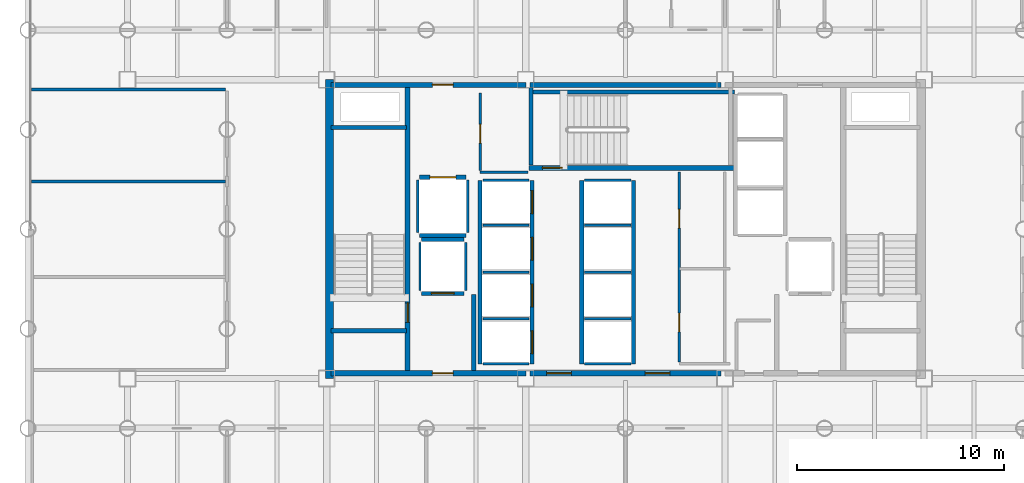
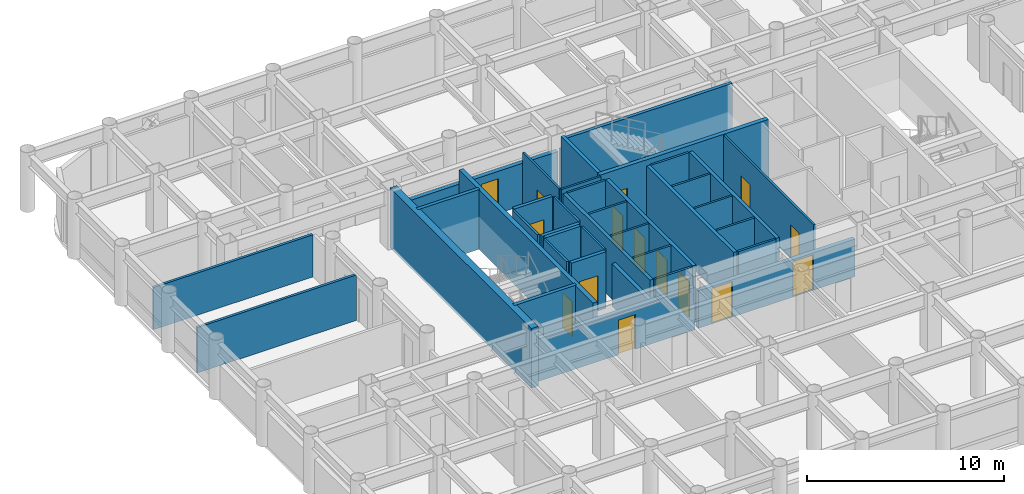
# One storey, part 15 of 19: 39 walls, 15 doors, 15 openings.
"""IFC4 building model written with IfcOpenShell, lengths in metres."""

import ifcopenshell
import ifcopenshell.guid

model = None  # the IFC model being written
_history = None  # IfcOwnerHistory: only IFC2X3 demands one
_inside = {}  # id of a spatial element -> (the spatial element, [elements in it])
_under = {}  # id of a project, library or spatial element -> (it, [spatial elements below it])
_declared = {}  # id of a project -> (the project, [libraries it declares])
_typed = {}  # id of a type object -> (the type object, [elements of that type])
_made_of = {}  # id of a material, layer set ... -> (it, [elements and type objects made of it])


def new_model(schema):
    """Start an empty IFC model of exactly this schema.

    Asked for "IFC4X3", IfcOpenShell would pick the latest addendum, in which some entities
    have other attributes; the version numbers below select the first issue.
    IFC2X3 requires an IfcOwnerHistory on every rooted entity: one is made here for all.
    """
    global model, _history
    if schema == "IFC4X3":
        model = ifcopenshell.file(schema_version=(4, 3, 0, 0))
    else:
        model = ifcopenshell.file(schema=schema)
    _inside.clear()
    _under.clear()
    _declared.clear()
    _typed.clear()
    _made_of.clear()
    _history = None
    if model.schema == "IFC2X3":
        org = make("IfcOrganization", Name="unknown")
        user = make(
            "IfcPersonAndOrganization",
            ThePerson=make("IfcPerson", FamilyName="unknown"),
            TheOrganization=org,
        )
        app = make(
            "IfcApplication",
            ApplicationDeveloper=org,
            Version="unknown",
            ApplicationFullName="unknown",
            ApplicationIdentifier="unknown",
        )
        _history = make(
            "IfcOwnerHistory",
            OwningUser=user,
            OwningApplication=app,
            ChangeAction="ADDED",
            CreationDate=0,
        )
    return model


def make(cls, **values):
    """One entity of the class cls with the attributes given. An attribute that is None is left unset."""
    return model.create_entity(
        cls, **{name: value for name, value in values.items() if value is not None}
    )


def rooted(cls, **values):
    """An entity with a GlobalId (a new one), such as an element, a storey or a relation."""
    return make(cls, GlobalId=ifcopenshell.guid.new(), OwnerHistory=_history, **values)


def si_unit(unit_type, name, prefix=None):
    """IfcSIUnit, for example si_unit("LENGTHUNIT", "METRE", prefix="MILLI")."""
    return make("IfcSIUnit", UnitType=unit_type, Prefix=prefix, Name=name)


def assignment(units):
    """IfcUnitAssignment: the units of a project."""
    return None if units is None else make("IfcUnitAssignment", Units=units)


def point(xyz):
    """IfcCartesianPoint."""
    return None if xyz is None else make("IfcCartesianPoint", Coordinates=xyz)


def direction(xyz):
    """IfcDirection."""
    return None if xyz is None else make("IfcDirection", DirectionRatios=xyz)


def frame(location, z_axis=None, x_axis=None):
    """IfcAxis2Placement3D, a coordinate frame: its origin and axes. An axis left out is left unset."""
    return make(
        "IfcAxis2Placement3D",
        Location=point(location),
        Axis=direction(z_axis),
        RefDirection=direction(x_axis),
    )


def frame_2d(location, x_axis=None):
    """IfcAxis2Placement2D, a coordinate frame in the plane: its origin and x axis."""
    return make(
        "IfcAxis2Placement2D", Location=point(location), RefDirection=direction(x_axis)
    )


def origin():
    """The frame at (0, 0, 0) with its axes left unset."""
    return frame((0.0, 0.0, 0.0))


def place(relative_to, where):
    """IfcLocalPlacement: puts the frame where relative to a parent placement (None: the world)."""
    return make(
        "IfcLocalPlacement", PlacementRelTo=relative_to, RelativePlacement=where
    )


def context(
    kind, dimensions, precision=None, world=None, true_north=None, identifier=None
):
    """IfcGeometricRepresentationContext, for example the 3D "Model" context."""
    return make(
        "IfcGeometricRepresentationContext",
        ContextIdentifier=identifier,
        ContextType=kind,
        CoordinateSpaceDimension=dimensions,
        Precision=precision,
        WorldCoordinateSystem=world,
        TrueNorth=true_north,
    )


def subcontext(parent, identifier, kind, view, scale=None):
    """IfcGeometricRepresentationSubContext, for example "Body" below "Model"."""
    return make(
        "IfcGeometricRepresentationSubContext",
        ContextIdentifier=identifier,
        ContextType=kind,
        ParentContext=parent,
        TargetScale=scale,
        TargetView=view,
    )


def project(units=None, contexts=None):
    """IfcProject with its units and contexts."""
    return rooted(
        "IfcProject",
        Name="project",
        RepresentationContexts=contexts,
        UnitsInContext=assignment(units),
    )


def spatial(cls, under=None, at=None, **own):
    """A site, building, storey or space (cls), placed at a placement, below another one or the project."""
    s = rooted(cls, ObjectPlacement=at, **own)
    if under is not None:
        _under.setdefault(under.id(), (under, []))[1].append(s)
    return s


def profile(cls, at=None, kind="AREA", **sizes):
    """A parametric profile (cls). Its sizes go by their IFC names, for example OverallWidth=200.0."""
    return make(cls, ProfileType=kind, Position=at, **sizes)


def rectangle(**sizes):
    """IfcRectangleProfileDef."""
    return profile("IfcRectangleProfileDef", **sizes)


def extrude(swept, where, along, depth):
    """IfcExtrudedAreaSolid: the profile swept, set in the frame where, extruded along a direction by depth."""
    return make(
        "IfcExtrudedAreaSolid",
        SweptArea=swept,
        Position=where,
        ExtrudedDirection=direction(along),
        Depth=depth,
    )


def shape(context_of_items, identifier, shape_type, items):
    """IfcShapeRepresentation: the items that make up one representation, for example the "Body"."""
    return make(
        "IfcShapeRepresentation",
        ContextOfItems=context_of_items,
        RepresentationIdentifier=identifier,
        RepresentationType=shape_type,
        Items=items,
    )


def material(Name=None, Category=None):
    """IfcMaterial."""
    return make("IfcMaterial", Name=Name, Category=Category)


def layer(
    of_material, thickness, ventilated=None, Name=None, Category=None, Priority=None
):
    """IfcMaterialLayer: one layer of a wall or slab, of a material (None: an air gap)."""
    return make(
        "IfcMaterialLayer",
        Material=of_material,
        LayerThickness=thickness,
        IsVentilated=ventilated,
        Name=Name,
        Category=Category,
        Priority=Priority,
    )


def layer_set(layers, Name=None):
    """IfcMaterialLayerSet."""
    return make("IfcMaterialLayerSet", MaterialLayers=layers, LayerSetName=Name)


def made_of(thing, what):
    """Note that an element or type object is made of a material, layer set ...; save() writes the relation."""
    if what is not None:
        _made_of.setdefault(what.id(), (what, []))[1].append(thing)
    return thing


def type_object(cls, material=None, **own):
    """A type object (cls), such as IfcWallType, which elements share."""
    return made_of(rooted(cls, **own), material)


def element(
    cls,
    number,
    at=None,
    inside=None,
    cuts=None,
    type_object=None,
    material=None,
    context=None,
    identifier="Body",
    shape_type=None,
    held_by="IfcProductDefinitionShape",
    body=None,
    shapes=None,
    **own,
):
    """One element of the class cls, such as IfcWall. Its Tag is "e" and its number.

    at: its placement. inside: the storey or other place that contains it. cuts: it is an
    opening in that element (IfcRelVoidsElement). A single representation is given by context,
    identifier, shape_type and body (its items); several are given by shapes. held_by: the class
    of the entity that holds the representations. save() writes the other relations.
    """
    e = rooted(cls, Tag="e%d" % number, ObjectPlacement=at, **own)
    if body is not None:
        shapes = [shape(context, identifier, shape_type, body)]
    if shapes is not None:
        e.Representation = make(held_by, Representations=shapes)
    if inside is not None:
        _inside.setdefault(inside.id(), (inside, []))[1].append(e)
    if cuts is not None:
        rooted(
            "IfcRelVoidsElement", RelatingBuildingElement=cuts, RelatedOpeningElement=e
        )
    if type_object is not None:
        _typed.setdefault(type_object.id(), (type_object, []))[1].append(e)
    return made_of(e, material)


def fill(opening, filler):
    """IfcRelFillsElement: the door or window that sits in an opening."""
    return rooted(
        "IfcRelFillsElement",
        RelatingOpeningElement=opening,
        RelatedBuildingElement=filler,
    )


def aggregate(whole, parts):
    """IfcRelAggregates: a whole, such as a stair, and the parts it consists of."""
    return rooted("IfcRelAggregates", RelatingObject=whole, RelatedObjects=parts)


def save(model, path):
    """Write the relations noted so far, then the file.

    IfcRelAggregates (storeys below a building ...), IfcRelContainedInSpatialStructure (elements
    in a storey), IfcRelDefinesByType, IfcRelAssociatesMaterial and IfcRelDeclares: one each for
    every whole, place, type object, material and project.
    """
    for whole, parts in _under.values():
        aggregate(whole, parts)
    for where, things in _inside.values():
        rooted(
            "IfcRelContainedInSpatialStructure",
            RelatedElements=things,
            RelatingStructure=where,
        )
    for kind, things in _typed.values():
        rooted("IfcRelDefinesByType", RelatedObjects=things, RelatingType=kind)
    for what, things in _made_of.values():
        rooted("IfcRelAssociatesMaterial", RelatedObjects=things, RelatingMaterial=what)
    for by, libraries in _declared.values():
        rooted("IfcRelDeclares", RelatingContext=by, RelatedDefinitions=libraries)
    model.write(path)


model = new_model("IFC4")

# Units and contexts
model_context = context("Model", 3, precision=1e-05, world=origin(), true_north=direction((0.0, 1.0)))
body_context = subcontext(model_context, "Body", "Model", "MODEL_VIEW")
ifc_project = project(units=[si_unit("LENGTHUNIT", "METRE"), si_unit("AREAUNIT", "SQUARE_METRE"), si_unit("VOLUMEUNIT", "CUBIC_METRE"), si_unit("PLANEANGLEUNIT", "RADIAN"), si_unit("MASSUNIT", "GRAM", prefix="KILO")], contexts=[model_context])

# Site, building, storey
site_placement = place(None, origin())
site = spatial("IfcSite", under=ifc_project, at=site_placement, CompositionType="ELEMENT")
building_placement = place(site_placement, origin())
building = spatial("IfcBuilding", under=site, at=building_placement, Name="Kallvorn Hotel Tower", CompositionType="ELEMENT")
storey_placement = place(building_placement, frame((0.0, 0.0, 63.300048828125)))
storey = spatial("IfcBuildingStorey", under=building, at=storey_placement, Name="L14", CompositionType="ELEMENT", Elevation=63.300048828125)

# Walls
ifc_material_1 = material(Name="Concrete C50/60", Category="concrete")
ifc_layer_1 = layer(ifc_material_1, 0.39990234375)
ifc_layer_set_1 = layer_set([ifc_layer_1], Name="WL_CORE_400")
wall_type_1 = type_object("IfcWallType", Name="WL_CORE_400", PredefinedType="SHEAR", material=ifc_layer_set_1)
wall_1_placement = place(storey_placement, frame((-14.264892578125, -7.199951171875, -0.179931640625), z_axis=(0.0, 0.0, 1.0), x_axis=(0.0, 1.0, 0.0)))
element("IfcWall", 1, at=wall_1_placement, inside=storey, type_object=wall_type_1, Name="L14 Core West Shear Wall", PredefinedType="SHEAR", context=body_context, shape_type="SweptSolid", body=[
    extrude(rectangle(XDim=14.39990234375, YDim=0.39990234375, at=frame_2d((7.199951171875, 0.0))), origin(), (0.0, 0.0, 1.0), 3.699951171875),
])
ifc_material_2 = material(Name="Concrete C40/50", Category="concrete")
ifc_layer_2 = layer(ifc_material_2, 0.219970703125)
ifc_layer_set_2 = layer_set([ifc_layer_2], Name="WL_FFL_220")
wall_type_2 = type_object("IfcWallType", Name="WL_FFL_220", PredefinedType="SOLIDWALL", material=ifc_layer_set_2)
wall_2_placement = place(storey_placement, frame((-7.300048828125, -6.820068359375, 0.0), z_axis=(0.0, 0.0, 1.0), x_axis=(0.0, 1.0, 0.0)))
element("IfcWall", 2, at=wall_2_placement, inside=storey, type_object=wall_type_2, Name="L14 Firefighting Lobby West Divider Wall", PredefinedType="SOLIDWALL", context=body_context, shape_type="SweptSolid", body=[
    extrude(rectangle(XDim=3.670166015625, YDim=0.219970703125, at=frame_2d((1.8349609375, 0.0))), origin(), (0.0, 0.0, 1.0), 2.619873046875),
])
ifc_material_3 = material(Name="Concrete C40/50", Category="concrete")
ifc_layer_3 = layer(ifc_material_3, 0.199951171875)
ifc_layer_set_3 = layer_set([ifc_layer_3], Name="WL_HOIST_200")
wall_type_3 = type_object("IfcWallType", Name="WL_HOIST_200", PredefinedType="SOLIDWALL", material=ifc_layer_set_3)
for number, where, z_axis, x_axis, name in (
    (3, (-14.199951171875, -4.89990234375, -0.179931640625), (0.0, 0.0, 1.0), (1.0, 0.0, 0.0), "L14 Stair ST1 South Wall"),
    (4, (-14.199951171875, 4.89990234375, -0.179931640625), (0.0, 0.0, 1.0), (1.0, 0.0, 0.0), "L14 Stair ST1 North Wall"),
):
    element("IfcWall", number, at=place(storey_placement, frame(where, z_axis=z_axis, x_axis=x_axis)), inside=storey, type_object=wall_type_3, Name=name, PredefinedType="SOLIDWALL", context=body_context, shape_type="SweptSolid", body=[
        extrude(rectangle(XDim=3.64990234375, YDim=0.199951171875, at=frame_2d((1.824951171875, 0.0))), origin(), (0.0, 0.0, 1.0), 3.699951171875),
    ])
wall_3_placement = place(storey_placement, frame((-4.64990234375, 6.610107421875, -0.179931640625), z_axis=(0.0, 0.0, 1.0), x_axis=(1.0, 0.0, 0.0)))
element("IfcWall", 5, at=wall_3_placement, inside=storey, type_object=wall_type_3, Name="L14 Stair ST3 Shaft North Wall", PredefinedType="SOLIDWALL", context=body_context, shape_type="SweptSolid", body=[
    extrude(rectangle(XDim=9.89990234375, YDim=0.199951171875, at=frame_2d((4.949951171875, 0.0))), origin(), (0.0, 0.0, 1.0), 3.699951171875),
])
wall_4_placement = place(storey_placement, frame((-4.550048828125, 3.080078125, -0.179931640625), z_axis=(0.0, 0.0, 1.0), x_axis=(0.0, 1.0, 0.0)))
element("IfcWall", 6, at=wall_4_placement, inside=storey, type_object=wall_type_3, Name="L14 Stair ST3 West Wall", PredefinedType="SOLIDWALL", context=body_context, shape_type="SweptSolid", body=[
    extrude(rectangle(XDim=3.739990234375, YDim=0.199951171875, at=frame_2d((1.8701171875, 0.0))), origin(), (0.0, 0.0, 1.0), 3.699951171875),
])

# Wall, openings, doors
wall_5_placement = place(storey_placement, frame((-4.5, -6.5, 0.0), z_axis=(0.0, 0.0, 1.0), x_axis=(0.0, 1.0, 0.0)))
wall_5 = element("IfcWall", 7, at=wall_5_placement, inside=storey, type_object=wall_type_3, Name="L14 Lift Bank B1 Landing Wall", PredefinedType="SOLIDWALL", context=body_context, shape_type="SweptSolid", body=[
    extrude(rectangle(XDim=8.85009765625, YDim=0.199951171875, at=frame_2d((4.425048828125, 0.0))), origin(), (0.0, 0.0, 1.0), 3.52001953125),
])
opening_1_placement = place(wall_5_placement, frame((0.5, 0.0, 0.0)))
opening_1 = element("IfcOpeningElement", 8, at=opening_1_placement, cuts=wall_5, Name="Opening LD-PL-01", PredefinedType="OPENING", context=body_context, shape_type="SweptSolid", body=[
    extrude(rectangle(XDim=1.10009765625, YDim=2.199951171875, at=frame_2d((0.550048828125, 1.10009765625))), frame((0.0, 0.114990234375, 0.0), z_axis=(0.0, -1.0, 0.0), x_axis=(1.0, 0.0, 0.0)), (0.0, 0.0, 1.0), 0.22998046875),
])
opening_2_placement = place(wall_5_placement, frame((2.75, 0.0, 0.0)))
opening_2 = element("IfcOpeningElement", 9, at=opening_2_placement, cuts=wall_5, Name="Opening LD-PL-02", PredefinedType="OPENING", context=body_context, shape_type="SweptSolid", body=[
    extrude(rectangle(XDim=1.10009765625, YDim=2.199951171875, at=frame_2d((0.550048828125, 1.10009765625))), frame((0.0, 0.114990234375, 0.0), z_axis=(0.0, -1.0, 0.0), x_axis=(1.0, 0.0, 0.0)), (0.0, 0.0, 1.0), 0.22998046875),
])
opening_3_placement = place(wall_5_placement, frame((5.0, 0.0, 0.0)))
opening_3 = element("IfcOpeningElement", 10, at=opening_3_placement, cuts=wall_5, Name="Opening LD-PL-03", PredefinedType="OPENING", context=body_context, shape_type="SweptSolid", body=[
    extrude(rectangle(XDim=1.10009765625, YDim=2.199951171875, at=frame_2d((0.550048828125, 1.10009765625))), frame((0.0, 0.114990234375, 0.0), z_axis=(0.0, -1.0, 0.0), x_axis=(1.0, 0.0, 0.0)), (0.0, 0.0, 1.0), 0.22998046875),
])
opening_4_placement = place(wall_5_placement, frame((7.25, 0.0, 0.0)))
opening_4 = element("IfcOpeningElement", 11, at=opening_4_placement, cuts=wall_5, Name="Opening LD-PL-04", PredefinedType="OPENING", context=body_context, shape_type="SweptSolid", body=[
    extrude(rectangle(XDim=1.10009765625, YDim=2.199951171875, at=frame_2d((0.550048828125, 1.10009765625))), frame((0.0, 0.114990234375, 0.0), z_axis=(0.0, -1.0, 0.0), x_axis=(1.0, 0.0, 0.0)), (0.0, 0.0, 1.0), 0.22998046875),
])
ifc_material_4 = material(Name="Brushed stainless-steel automatic sliding lift landing door", Category="steel")
door_type_1 = type_object("IfcDoorType", Name="LD_PASS_1100x2200", OperationType="SLIDING_TO_LEFT", PredefinedType="DOOR", material=ifc_material_4)
door_1_placement = place(opening_1_placement, origin())
door_1 = element("IfcDoor", 12, at=door_1_placement, inside=storey, type_object=door_type_1, Name="L14 Lift Landing Sliding Door LD-PL-01", OperationType="SLIDING_TO_LEFT", OverallHeight=2.199951171875, OverallWidth=1.10009765625, PredefinedType="DOOR", context=body_context, shape_type="SweptSolid", body=[
    extrude(rectangle(XDim=1.10009765625, YDim=2.199951171875, at=frame_2d((0.550048828125, 1.10009765625))), frame((0.0, 0.02490234375, 0.0), z_axis=(0.0, -1.0, 0.0), x_axis=(1.0, 0.0, 0.0)), (0.0, 0.0, 1.0), 0.050048828125),
])
fill(opening_1, door_1)
door_2_placement = place(opening_2_placement, origin())
door_2 = element("IfcDoor", 13, at=door_2_placement, inside=storey, type_object=door_type_1, Name="L14 Lift Landing Sliding Door LD-PL-02", OperationType="SLIDING_TO_LEFT", OverallHeight=2.199951171875, OverallWidth=1.10009765625, PredefinedType="DOOR", context=body_context, shape_type="SweptSolid", body=[
    extrude(rectangle(XDim=1.10009765625, YDim=2.199951171875, at=frame_2d((0.550048828125, 1.10009765625))), frame((0.0, 0.02490234375, 0.0), z_axis=(0.0, -1.0, 0.0), x_axis=(1.0, 0.0, 0.0)), (0.0, 0.0, 1.0), 0.050048828125),
])
fill(opening_2, door_2)
door_3_placement = place(opening_3_placement, origin())
door_3 = element("IfcDoor", 14, at=door_3_placement, inside=storey, type_object=door_type_1, Name="L14 Lift Landing Sliding Door LD-PL-03", OperationType="SLIDING_TO_LEFT", OverallHeight=2.199951171875, OverallWidth=1.10009765625, PredefinedType="DOOR", context=body_context, shape_type="SweptSolid", body=[
    extrude(rectangle(XDim=1.10009765625, YDim=2.199951171875, at=frame_2d((0.550048828125, 1.10009765625))), frame((0.0, 0.02490234375, 0.0), z_axis=(0.0, -1.0, 0.0), x_axis=(1.0, 0.0, 0.0)), (0.0, 0.0, 1.0), 0.050048828125),
])
fill(opening_3, door_3)
door_4_placement = place(opening_4_placement, origin())
door_4 = element("IfcDoor", 15, at=door_4_placement, inside=storey, type_object=door_type_1, Name="L14 Lift Landing Sliding Door LD-PL-04", OperationType="SLIDING_TO_LEFT", OverallHeight=2.199951171875, OverallWidth=1.10009765625, PredefinedType="DOOR", context=body_context, shape_type="SweptSolid", body=[
    extrude(rectangle(XDim=1.10009765625, YDim=2.199951171875, at=frame_2d((0.550048828125, 1.10009765625))), frame((0.0, 0.02490234375, 0.0), z_axis=(0.0, -1.0, 0.0), x_axis=(1.0, 0.0, 0.0)), (0.0, 0.0, 1.0), 0.050048828125),
])
fill(opening_4, door_4)

# Walls
for number, where, z_axis, x_axis, name in (
    (16, (-7.0, -6.5, 0.0), (0.0, 0.0, 1.0), (0.0, 1.0, 0.0), "L14 Lift Bank B1 Rear Shaft Wall"),
    (17, (-2.10009765625, -6.5, 0.0), (0.0, 0.0, 1.0), (0.0, 1.0, 0.0), "L14 Lift Bank B2 Landing Wall"),
    (18, (0.39990234375, -6.5, 0.0), (0.0, 0.0, 1.0), (0.0, 1.0, 0.0), "L14 Lift Bank B2 Rear Shaft Wall"),
):
    element("IfcWall", number, at=place(storey_placement, frame(where, z_axis=z_axis, x_axis=x_axis)), inside=storey, type_object=wall_type_3, Name=name, PredefinedType="SOLIDWALL", context=body_context, shape_type="SweptSolid", body=[
        extrude(rectangle(XDim=8.85009765625, YDim=0.199951171875, at=frame_2d((4.425048828125, 0.0))), origin(), (0.0, 0.0, 1.0), 3.52001953125),
    ])

# Wall, opening, door
wall_6_placement = place(storey_placement, frame((-9.820068359375, -3.10009765625, 0.0), z_axis=(0.0, 0.0, 1.0), x_axis=(1.0, 0.0, 0.0)))
wall_6 = element("IfcWall", 19, at=wall_6_placement, inside=storey, type_object=wall_type_3, Name="L14 FL-1 Landing Wall", PredefinedType="SOLIDWALL", context=body_context, shape_type="SweptSolid", body=[
    extrude(rectangle(XDim=2.0400390625, YDim=0.199951171875, at=frame_2d((1.02001953125, 0.0))), origin(), (0.0, 0.0, 1.0), 3.52001953125),
])
opening_5_placement = place(wall_6_placement, frame((0.469970703125, 0.0, 0.0)))
opening_5 = element("IfcOpeningElement", 20, at=opening_5_placement, cuts=wall_6, Name="Opening LD-FL-1", PredefinedType="OPENING", context=body_context, shape_type="SweptSolid", body=[
    extrude(rectangle(XDim=1.10009765625, YDim=2.199951171875, at=frame_2d((0.550048828125, 1.10009765625))), frame((0.0, 0.114990234375, 0.0), z_axis=(0.0, -1.0, 0.0), x_axis=(1.0, 0.0, 0.0)), (0.0, 0.0, 1.0), 0.22998046875),
])
door_5_placement = place(opening_5_placement, origin())
door_5 = element("IfcDoor", 21, at=door_5_placement, inside=storey, type_object=door_type_1, Name="L14 Lift Landing Sliding Door LD-FL-1", OperationType="SLIDING_TO_LEFT", OverallHeight=2.199951171875, OverallWidth=1.10009765625, PredefinedType="DOOR", context=body_context, shape_type="SweptSolid", body=[
    extrude(rectangle(XDim=1.10009765625, YDim=2.199951171875, at=frame_2d((0.550048828125, 1.10009765625))), frame((0.0, 0.02490234375, 0.0), z_axis=(0.0, -1.0, 0.0), x_axis=(1.0, 0.0, 0.0)), (0.0, 0.0, 1.0), 0.050048828125),
])
fill(opening_5, door_5)

# Wall
wall_7_placement = place(storey_placement, frame((-9.820068359375, -0.5, 0.0), z_axis=(0.0, 0.0, 1.0), x_axis=(1.0, 0.0, 0.0)))
element("IfcWall", 22, at=wall_7_placement, inside=storey, type_object=wall_type_3, Name="L14 FL-1 Rear Shaft Wall", PredefinedType="SOLIDWALL", context=body_context, shape_type="SweptSolid", body=[
    extrude(rectangle(XDim=2.0400390625, YDim=0.199951171875, at=frame_2d((1.02001953125, 0.0))), origin(), (0.0, 0.0, 1.0), 3.52001953125),
])

# Wall, opening, door
wall_8_placement = place(storey_placement, frame((-9.919921875, 2.5, 0.0), z_axis=(0.0, 0.0, 1.0), x_axis=(1.0, 0.0, 0.0)))
wall_8 = element("IfcWall", 23, at=wall_8_placement, inside=storey, type_object=wall_type_3, Name="L14 SV-01 Landing Wall", PredefinedType="SOLIDWALL", context=body_context, shape_type="SweptSolid", body=[
    extrude(rectangle(XDim=2.239990234375, YDim=0.199951171875, at=frame_2d((1.1201171875, 0.0))), origin(), (0.0, 0.0, 1.0), 3.52001953125),
])
opening_6_placement = place(wall_8_placement, frame((0.4951171875, 0.0, 0.0)))
opening_6 = element("IfcOpeningElement", 24, at=opening_6_placement, cuts=wall_8, Name="Opening LD-SV-01", PredefinedType="OPENING", context=body_context, shape_type="SweptSolid", body=[
    extrude(rectangle(XDim=1.25, YDim=2.25, at=frame_2d((0.625, 1.125))), frame((0.0, 0.114990234375, 0.0), z_axis=(0.0, -1.0, 0.0), x_axis=(1.0, 0.0, 0.0)), (0.0, 0.0, 1.0), 0.22998046875),
])
ifc_material_5 = material(Name="Brushed stainless-steel automatic sliding lift landing door", Category="steel")
door_type_2 = type_object("IfcDoorType", Name="LD_SERV_1250x2250", OperationType="SLIDING_TO_LEFT", PredefinedType="DOOR", material=ifc_material_5)
door_6_placement = place(opening_6_placement, origin())
door_6 = element("IfcDoor", 25, at=door_6_placement, inside=storey, type_object=door_type_2, Name="L14 Lift Landing Sliding Door LD-SV-01", OperationType="SLIDING_TO_LEFT", OverallHeight=2.25, OverallWidth=1.25, PredefinedType="DOOR", context=body_context, shape_type="SweptSolid", body=[
    extrude(rectangle(XDim=1.25, YDim=2.25, at=frame_2d((0.625, 1.125))), frame((0.0, 0.02490234375, 0.0), z_axis=(0.0, -1.0, 0.0), x_axis=(1.0, 0.0, 0.0)), (0.0, 0.0, 1.0), 0.050048828125),
])
fill(opening_6, door_6)

# Walls
wall_9_placement = place(storey_placement, frame((-9.919921875, -0.300048828125, 0.0), z_axis=(0.0, 0.0, 1.0), x_axis=(1.0, 0.0, 0.0)))
element("IfcWall", 26, at=wall_9_placement, inside=storey, type_object=wall_type_3, Name="L14 SV-01 Rear Shaft Wall", PredefinedType="SOLIDWALL", context=body_context, shape_type="SweptSolid", body=[
    extrude(rectangle(XDim=2.239990234375, YDim=0.199951171875, at=frame_2d((1.1201171875, 0.0))), origin(), (0.0, 0.0, 1.0), 3.52001953125),
])
ifc_material_6 = material(Name="Fire-rated double-layer acoustic gypsum drywall EI 60")
ifc_layer_4 = layer(ifc_material_6, 0.1201171875)
ifc_layer_set_4 = layer_set([ifc_layer_4], Name="WL_INT_120")
wall_type_4 = type_object("IfcWallType", Name="WL_INT_120", PredefinedType="PARTITIONING", material=ifc_layer_set_4)
for number, where, z_axis, x_axis, name in (
    (27, (-6.860107421875, -6.5, 0.0), (0.0, 0.0, 1.0), (1.0, 0.0, 0.0), "L14 Lift Bank B1 South Closure Wall"),
    (28, (-6.860107421875, -4.324951171875, 0.0), (0.0, 0.0, 1.0), (1.0, 0.0, 0.0), "L14 PL-01 Hoistway Divider"),
    (29, (-6.860107421875, -2.074951171875, 0.0), (0.0, 0.0, 1.0), (1.0, 0.0, 0.0), "L14 PL-02 Hoistway Divider"),
    (30, (-6.860107421875, 0.175048828125, 0.0), (0.0, 0.0, 1.0), (1.0, 0.0, 0.0), "L14 PL-03 Hoistway Divider"),
    (31, (-6.860107421875, 2.35009765625, 0.0), (0.0, 0.0, 1.0), (1.0, 0.0, 0.0), "L14 PL-04 Hoistway Divider"),
):
    element("IfcWall", number, at=place(storey_placement, frame(where, z_axis=z_axis, x_axis=x_axis)), inside=storey, type_object=wall_type_4, Name=name, PredefinedType="PARTITIONING", context=body_context, shape_type="SweptSolid", body=[
        extrude(rectangle(XDim=2.22021484375, YDim=0.1201171875, at=frame_2d((1.110107421875, 0.0))), origin(), (0.0, 0.0, 1.0), 3.52001953125),
    ])
for number, where, z_axis, x_axis, name in (
    (32, (-1.9599609375, -6.5, 0.0), (0.0, 0.0, 1.0), (1.0, 0.0, 0.0), "L14 Lift Bank B2 South Closure Wall"),
    (33, (-1.9599609375, -4.324951171875, 0.0), (0.0, 0.0, 1.0), (1.0, 0.0, 0.0), "L14 PL-05 Hoistway Divider"),
    (34, (-1.9599609375, -2.074951171875, 0.0), (0.0, 0.0, 1.0), (1.0, 0.0, 0.0), "L14 PL-06 Hoistway Divider"),
    (35, (-1.9599609375, 0.175048828125, 0.0), (0.0, 0.0, 1.0), (1.0, 0.0, 0.0), "L14 PL-07 Hoistway Divider"),
    (36, (-1.9599609375, 2.35009765625, 0.0), (0.0, 0.0, 1.0), (1.0, 0.0, 0.0), "L14 PL-08 Hoistway Divider"),
):
    element("IfcWall", number, at=place(storey_placement, frame(where, z_axis=z_axis, x_axis=x_axis)), inside=storey, type_object=wall_type_4, Name=name, PredefinedType="PARTITIONING", context=body_context, shape_type="SweptSolid", body=[
        extrude(rectangle(XDim=2.219970703125, YDim=0.1201171875, at=frame_2d((1.10986328125, 0.0))), origin(), (0.0, 0.0, 1.0), 3.52001953125),
    ])
for number, where, z_axis, x_axis, name in (
    (37, (-9.89990234375, -2.9599609375, 0.0), (0.0, 0.0, 1.0), (0.0, 1.0, 0.0), "L14 FL-1 West Shaft Wall"),
    (38, (-7.699951171875, -2.9599609375, 0.0), (0.0, 0.0, 1.0), (0.0, 1.0, 0.0), "L14 FL-1 East Shaft Wall"),
):
    element("IfcWall", number, at=place(storey_placement, frame(where, z_axis=z_axis, x_axis=x_axis)), inside=storey, type_object=wall_type_4, Name=name, PredefinedType="PARTITIONING", context=body_context, shape_type="SweptSolid", body=[
        extrude(rectangle(XDim=2.320068359375, YDim=0.1201171875, at=frame_2d((1.16015625, 0.0))), origin(), (0.0, 0.0, 1.0), 3.52001953125),
    ])
for number, where, z_axis, x_axis, name in (
    (39, (-10.0, -0.159912109375, 0.0), (0.0, 0.0, 1.0), (0.0, 1.0, 0.0), "L14 SV-01 West Shaft Wall"),
    (40, (-7.60009765625, -0.159912109375, 0.0), (0.0, 0.0, 1.0), (0.0, 1.0, 0.0), "L14 SV-01 East Shaft Wall"),
):
    element("IfcWall", number, at=place(storey_placement, frame(where, z_axis=z_axis, x_axis=x_axis)), inside=storey, type_object=wall_type_4, Name=name, PredefinedType="PARTITIONING", context=body_context, shape_type="SweptSolid", body=[
        extrude(rectangle(XDim=2.52001953125, YDim=0.1201171875, at=frame_2d((1.260009765625, 0.0))), origin(), (0.0, 0.0, 1.0), 3.52001953125),
    ])
wall_10_placement = place(storey_placement, frame((-7.0, 2.75, 0.0), z_axis=(0.0, 0.0, 1.0), x_axis=(1.0, 0.0, 0.0)))
element("IfcWall", 41, at=wall_10_placement, inside=storey, type_object=wall_type_4, Name="L14 Core Cleaners and Janitor Store Partition", PredefinedType="PARTITIONING", context=body_context, shape_type="SweptSolid", body=[
    extrude(rectangle(XDim=2.31005859375, YDim=0.1201171875, at=frame_2d((1.155029296875, 0.0))), origin(), (0.0, 0.0, 1.0), 3.52001953125),
])

# Wall, opening, door
wall_11_placement = place(storey_placement, frame((-7.0, 2.8349609375, 0.0), z_axis=(0.0, 0.0, 1.0), x_axis=(0.0, 1.0, 0.0)))
wall_11 = element("IfcWall", 42, at=wall_11_placement, inside=storey, type_object=wall_type_4, Name="L14 Core Cleaners and Janitor Store Partition", PredefinedType="PARTITIONING", context=body_context, shape_type="SweptSolid", body=[
    extrude(rectangle(XDim=3.715087890625, YDim=0.1201171875, at=frame_2d((1.857421875, 0.0))), origin(), (0.0, 0.0, 1.0), 3.52001953125),
])
opening_7_placement = place(wall_11_placement, frame((1.31494140625, 0.0, 0.0)))
opening_7 = element("IfcOpeningElement", 43, at=opening_7_placement, cuts=wall_11, Name="Opening SVD1", PredefinedType="OPENING", context=body_context, shape_type="SweptSolid", body=[
    extrude(rectangle(XDim=0.89990234375, YDim=2.10009765625, at=frame_2d((0.449951171875, 1.050048828125))), frame((0.0, 0.074951171875, 0.0), z_axis=(0.0, -1.0, 0.0), x_axis=(1.0, 0.0, 0.0)), (0.0, 0.0, 1.0), 0.150146484375),
])
ifc_material_7 = material(Name="Galvanised painted steel fire-rated door assembly", Category="steel")
door_type_3 = type_object("IfcDoorType", Name="DR_SERV_900x2100", OperationType="NOTDEFINED", PredefinedType="DOOR", material=ifc_material_7)
door_7_placement = place(opening_7_placement, origin())
door_7 = element("IfcDoor", 44, at=door_7_placement, inside=storey, type_object=door_type_3, Name="L14 Core Cleaners and Janitor Store Door", OperationType="SINGLE_SWING_RIGHT", OverallHeight=2.10009765625, OverallWidth=0.89990234375, PredefinedType="DOOR", context=body_context, shape_type="SweptSolid", body=[
    extrude(rectangle(XDim=0.89990234375, YDim=2.10009765625, at=frame_2d((0.449951171875, 1.050048828125))), frame((0.0, 0.02490234375, 0.0), z_axis=(0.0, -1.0, 0.0), x_axis=(1.0, 0.0, 0.0)), (0.0, 0.0, 1.0), 0.050048828125),
])
fill(opening_7, door_7)

# Wall, openings, doors
wall_12_placement = place(storey_placement, frame((2.60009765625, -6.4150390625, 0.0), z_axis=(0.0, 0.0, 1.0), x_axis=(0.0, 1.0, 0.0)))
wall_12 = element("IfcWall", 45, at=wall_12_placement, inside=storey, type_object=wall_type_4, Name="L14 East Core Amenities and Minibar Store Partition", PredefinedType="PARTITIONING", context=body_context, shape_type="SweptSolid", body=[
    extrude(rectangle(XDim=9.1650390625, YDim=0.1201171875, at=frame_2d((4.58251953125, 0.0))), origin(), (0.0, 0.0, 1.0), 3.52001953125),
])
opening_8_placement = place(wall_12_placement, frame((1.465087890625, 0.0, 0.0)))
opening_8 = element("IfcOpeningElement", 46, at=opening_8_placement, cuts=wall_12, Name="Opening SVD1", PredefinedType="OPENING", context=body_context, shape_type="SweptSolid", body=[
    extrude(rectangle(XDim=0.89990234375, YDim=2.10009765625, at=frame_2d((0.449951171875, 1.050048828125))), frame((0.0, 0.074951171875, 0.0), z_axis=(0.0, -1.0, 0.0), x_axis=(1.0, 0.0, 0.0)), (0.0, 0.0, 1.0), 0.150146484375),
])
opening_9_placement = place(wall_12_placement, frame((6.465087890625, 0.0, 0.0)))
opening_9 = element("IfcOpeningElement", 47, at=opening_9_placement, cuts=wall_12, Name="Opening SVD1", PredefinedType="OPENING", context=body_context, shape_type="SweptSolid", body=[
    extrude(rectangle(XDim=0.89990234375, YDim=2.10009765625, at=frame_2d((0.449951171875, 1.050048828125))), frame((0.0, 0.074951171875, 0.0), z_axis=(0.0, -1.0, 0.0), x_axis=(1.0, 0.0, 0.0)), (0.0, 0.0, 1.0), 0.150146484375),
])
door_8_placement = place(opening_8_placement, origin())
door_8 = element("IfcDoor", 48, at=door_8_placement, inside=storey, type_object=door_type_3, Name="L14 East Core Amenities and Minibar Store Door", OperationType="SINGLE_SWING_LEFT", OverallHeight=2.10009765625, OverallWidth=0.89990234375, PredefinedType="DOOR", context=body_context, shape_type="SweptSolid", body=[
    extrude(rectangle(XDim=0.89990234375, YDim=2.10009765625, at=frame_2d((0.449951171875, 1.050048828125))), frame((0.0, 0.02490234375, 0.0), z_axis=(0.0, -1.0, 0.0), x_axis=(1.0, 0.0, 0.0)), (0.0, 0.0, 1.0), 0.050048828125),
])
fill(opening_8, door_8)
door_9_placement = place(opening_9_placement, origin())
door_9 = element("IfcDoor", 49, at=door_9_placement, inside=storey, type_object=door_type_3, Name="L14 East Core Cleaners and Janitor Room Door", OperationType="SINGLE_SWING_RIGHT", OverallHeight=2.10009765625, OverallWidth=0.89990234375, PredefinedType="DOOR", context=body_context, shape_type="SweptSolid", body=[
    extrude(rectangle(XDim=0.89990234375, YDim=2.10009765625, at=frame_2d((0.449951171875, 1.050048828125))), frame((0.0, 0.02490234375, 0.0), z_axis=(0.0, -1.0, 0.0), x_axis=(1.0, 0.0, 0.0)), (0.0, 0.0, 1.0), 0.050048828125),
])
fill(opening_9, door_9)

# Walls
ifc_material_8 = material(Name="Fire-rated double-layer acoustic gypsum drywall EI 60")
ifc_layer_5 = layer(ifc_material_8, 0.14990234375)
ifc_layer_set_5 = layer_set([ifc_layer_5], Name="WL_PART_150")
wall_type_5 = type_object("IfcWallType", Name="WL_PART_150", PredefinedType="PARTITIONING", material=ifc_layer_set_5)
wall_13_placement = place(storey_placement, frame((-28.6298828125, 2.300048828125, 0.0), z_axis=(0.0, 0.0, 1.0), x_axis=(1.0, 0.0, 0.0)))
element("IfcWall", 50, at=wall_13_placement, inside=storey, type_object=wall_type_5, Name="L14 L14 W Central Reading Gallery Partition", PredefinedType="PARTITIONING", context=body_context, shape_type="SweptSolid", body=[
    extrude(rectangle(XDim=9.349853515625, YDim=0.14990234375, at=frame_2d((4.6748046875, 0.0))), origin(), (0.0, 0.0, 1.0), 2.820068359375),
])
wall_14_placement = place(storey_placement, frame((-28.6298828125, 6.737548828125, 0.0), z_axis=(0.0, 0.0, 1.0), x_axis=(1.0, 0.0, 0.0)))
element("IfcWall", 51, at=wall_14_placement, inside=storey, type_object=wall_type_5, Name="L14 L14 W North Movement Gymnasium Partition", PredefinedType="PARTITIONING", context=body_context, shape_type="SweptSolid", body=[
    extrude(rectangle(XDim=9.349853515625, YDim=0.14990234375, at=frame_2d((4.6748046875, 0.0))), origin(), (0.0, 0.0, 1.0), 2.619873046875),
])

# Wall, opening, door
ifc_material_9 = material(Name="Concrete C40/50", Category="concrete")
ifc_layer_6 = layer(ifc_material_9, 0.25)
ifc_layer_set_6 = layer_set([ifc_layer_6], Name="WL_SHAFT_250")
wall_type_6 = type_object("IfcWallType", Name="WL_SHAFT_250", PredefinedType="SOLIDWALL", material=ifc_layer_set_6)
wall_15_placement = place(storey_placement, frame((-14.199951171875, -6.949951171875, 0.0), z_axis=(0.0, 0.0, 1.0), x_axis=(1.0, 0.0, 0.0)))
wall_15 = element("IfcWall", 52, at=wall_15_placement, inside=storey, type_object=wall_type_6, Name="L14 Core South-West Wall", PredefinedType="SOLIDWALL", context=body_context, shape_type="SweptSolid", body=[
    extrude(rectangle(XDim=9.39990234375, YDim=0.25, at=frame_2d((4.699951171875, 0.0))), origin(), (0.0, 0.0, 1.0), 2.619873046875),
])
opening_10_placement = place(wall_15_placement, frame((4.89990234375, 0.0, 0.0)))
opening_10 = element("IfcOpeningElement", 53, at=opening_10_placement, cuts=wall_15, Name="Opening FD1", PredefinedType="OPENING", context=body_context, shape_type="SweptSolid", body=[
    extrude(rectangle(XDim=1.0, YDim=2.14990234375, at=frame_2d((0.5, 1.074951171875))), frame((0.0, 0.139892578125, 0.0), z_axis=(0.0, -1.0, 0.0), x_axis=(1.0, 0.0, 0.0)), (0.0, 0.0, 1.0), 0.280029296875),
])
ifc_material_10 = material(Name="Galvanised painted steel fire-rated door assembly", Category="steel")
door_type_4 = type_object("IfcDoorType", Name="DR_FFL_1000x2150", OperationType="NOTDEFINED", PredefinedType="DOOR", material=ifc_material_10)
door_10_placement = place(opening_10_placement, origin())
door_10 = element("IfcDoor", 54, at=door_10_placement, inside=storey, type_object=door_type_4, Name="L14 Firefighting Lobby West Door", OperationType="SINGLE_SWING_LEFT", OverallHeight=2.14990234375, OverallWidth=1.0, PredefinedType="DOOR", context=body_context, shape_type="SweptSolid", body=[
    extrude(rectangle(XDim=1.0, YDim=2.14990234375, at=frame_2d((0.5, 1.074951171875))), frame((0.0, 0.02490234375, 0.0), z_axis=(0.0, -1.0, 0.0), x_axis=(1.0, 0.0, 0.0)), (0.0, 0.0, 1.0), 0.050048828125),
])
fill(opening_10, door_10)

# Wall, openings, doors
wall_16_placement = place(storey_placement, frame((-4.60009765625, -6.949951171875, 0.0), z_axis=(0.0, 0.0, 1.0), x_axis=(1.0, 0.0, 0.0)))
wall_16 = element("IfcWall", 55, at=wall_16_placement, inside=storey, type_object=wall_type_6, Name="L14 Core South-Central Wall", PredefinedType="SOLIDWALL", context=body_context, shape_type="SweptSolid", body=[
    extrude(rectangle(XDim=9.2001953125, YDim=0.25, at=frame_2d((4.60009765625, 0.0))), origin(), (0.0, 0.0, 1.0), 2.320068359375),
])
opening_11_placement = place(wall_16_placement, frame((0.800048828125, 0.0, 0.0)))
opening_11 = element("IfcOpeningElement", 56, at=opening_11_placement, cuts=wall_16, Name="Opening FD2", PredefinedType="OPENING", context=body_context, shape_type="SweptSolid", body=[
    extrude(rectangle(XDim=1.199951171875, YDim=2.199951171875, at=frame_2d((0.60009765625, 1.10009765625))), frame((0.0, 0.139892578125, 0.0), z_axis=(0.0, -1.0, 0.0), x_axis=(1.0, 0.0, 0.0)), (0.0, 0.0, 1.0), 0.280029296875),
])
opening_12_placement = place(wall_16_placement, frame((5.550048828125, 0.0, 0.0)))
opening_12 = element("IfcOpeningElement", 57, at=opening_12_placement, cuts=wall_16, Name="Opening FD2", PredefinedType="OPENING", context=body_context, shape_type="SweptSolid", body=[
    extrude(rectangle(XDim=1.199951171875, YDim=2.199951171875, at=frame_2d((0.60009765625, 1.10009765625))), frame((0.0, 0.139892578125, 0.0), z_axis=(0.0, -1.0, 0.0), x_axis=(1.0, 0.0, 0.0)), (0.0, 0.0, 1.0), 0.280029296875),
])
ifc_material_11 = material(Name="Galvanised painted steel fire-rated door assembly", Category="steel")
door_type_5 = type_object("IfcDoorType", Name="DR_LOBBY_1200x2200", OperationType="DOUBLE_DOOR_SINGLE_SWING", PredefinedType="DOOR", material=ifc_material_11)
door_11_placement = place(opening_11_placement, origin())
door_11 = element("IfcDoor", 58, at=door_11_placement, inside=storey, type_object=door_type_5, Name="L14 West Passenger Lift Lobby Door", OperationType="DOUBLE_DOOR_SINGLE_SWING", OverallHeight=2.199951171875, OverallWidth=1.199951171875, PredefinedType="DOOR", context=body_context, shape_type="SweptSolid", body=[
    extrude(rectangle(XDim=1.199951171875, YDim=2.199951171875, at=frame_2d((0.60009765625, 1.10009765625))), frame((0.0, 0.02490234375, 0.0), z_axis=(0.0, -1.0, 0.0), x_axis=(1.0, 0.0, 0.0)), (0.0, 0.0, 1.0), 0.050048828125),
])
fill(opening_11, door_11)
door_12_placement = place(opening_12_placement, origin())
door_12 = element("IfcDoor", 59, at=door_12_placement, inside=storey, type_object=door_type_5, Name="L14 East Passenger Lift Lobby Door", OperationType="DOUBLE_DOOR_SINGLE_SWING", OverallHeight=2.199951171875, OverallWidth=1.199951171875, PredefinedType="DOOR", context=body_context, shape_type="SweptSolid", body=[
    extrude(rectangle(XDim=1.199951171875, YDim=2.199951171875, at=frame_2d((0.60009765625, 1.10009765625))), frame((0.0, 0.02490234375, 0.0), z_axis=(0.0, -1.0, 0.0), x_axis=(1.0, 0.0, 0.0)), (0.0, 0.0, 1.0), 0.050048828125),
])
fill(opening_12, door_12)

# Wall, opening, door
wall_17_placement = place(storey_placement, frame((-14.199951171875, 6.949951171875, 0.0), z_axis=(0.0, 0.0, 1.0), x_axis=(1.0, 0.0, 0.0)))
wall_17 = element("IfcWall", 60, at=wall_17_placement, inside=storey, type_object=wall_type_6, Name="L14 Core North-West Wall", PredefinedType="SOLIDWALL", context=body_context, shape_type="SweptSolid", body=[
    extrude(rectangle(XDim=9.39990234375, YDim=0.25, at=frame_2d((4.699951171875, 0.0))), origin(), (0.0, 0.0, 1.0), 2.619873046875),
])
opening_13_placement = place(wall_17_placement, frame((4.89990234375, 0.0, 0.0)))
opening_13 = element("IfcOpeningElement", 61, at=opening_13_placement, cuts=wall_17, Name="Opening FD1", PredefinedType="OPENING", context=body_context, shape_type="SweptSolid", body=[
    extrude(rectangle(XDim=1.0, YDim=2.14990234375, at=frame_2d((0.5, 1.074951171875))), frame((0.0, 0.139892578125, 0.0), z_axis=(0.0, -1.0, 0.0), x_axis=(1.0, 0.0, 0.0)), (0.0, 0.0, 1.0), 0.280029296875),
])
door_13_placement = place(opening_13_placement, origin())
door_13 = element("IfcDoor", 62, at=door_13_placement, inside=storey, type_object=door_type_4, Name="L14 Service Lift Lobby Door", OperationType="SINGLE_SWING_RIGHT", OverallHeight=2.14990234375, OverallWidth=1.0, PredefinedType="DOOR", context=body_context, shape_type="SweptSolid", body=[
    extrude(rectangle(XDim=1.0, YDim=2.14990234375, at=frame_2d((0.5, 1.074951171875))), frame((0.0, 0.02490234375, 0.0), z_axis=(0.0, -1.0, 0.0), x_axis=(1.0, 0.0, 0.0)), (0.0, 0.0, 1.0), 0.050048828125),
])
fill(opening_13, door_13)

# Wall
wall_18_placement = place(storey_placement, frame((-4.60009765625, 6.949951171875, 0.0), z_axis=(0.0, 0.0, 1.0), x_axis=(1.0, 0.0, 0.0)))
element("IfcWall", 63, at=wall_18_placement, inside=storey, type_object=wall_type_6, Name="L14 Core North-Central Wall", PredefinedType="SOLIDWALL", context=body_context, shape_type="SweptSolid", body=[
    extrude(rectangle(XDim=9.2001953125, YDim=0.25, at=frame_2d((4.60009765625, 0.0))), origin(), (0.0, 0.0, 1.0), 2.619873046875),
])

# Wall, opening, door
wall_19_placement = place(storey_placement, frame((-10.5, -6.820068359375, -0.179931640625), z_axis=(0.0, 0.0, 1.0), x_axis=(0.0, 1.0, 0.0)))
wall_19 = element("IfcWall", 64, at=wall_19_placement, inside=storey, type_object=wall_type_6, Name="L14 Stair ST1 Shaft Wall", PredefinedType="SOLIDWALL", context=body_context, shape_type="SweptSolid", body=[
    extrude(rectangle(XDim=13.64013671875, YDim=0.25, at=frame_2d((6.820068359375, 0.0))), origin(), (0.0, 0.0, 1.0), 3.699951171875),
])
opening_14_placement = place(wall_19_placement, frame((2.320068359375, 0.0, 0.179931640625)))
opening_14 = element("IfcOpeningElement", 65, at=opening_14_placement, cuts=wall_19, Name="Opening SD1", PredefinedType="OPENING", context=body_context, shape_type="SweptSolid", body=[
    extrude(rectangle(XDim=0.949951171875, YDim=2.14990234375, at=frame_2d((0.47509765625, 1.074951171875))), frame((0.0, 0.139892578125, 0.0), z_axis=(0.0, -1.0, 0.0), x_axis=(1.0, 0.0, 0.0)), (0.0, 0.0, 1.0), 0.280029296875),
])
ifc_material_12 = material(Name="Galvanised painted steel fire-rated door assembly", Category="steel")
door_type_6 = type_object("IfcDoorType", Name="DR_STAIR_950x2150", OperationType="NOTDEFINED", PredefinedType="DOOR", material=ifc_material_12)
door_14_placement = place(opening_14_placement, origin())
door_14 = element("IfcDoor", 66, at=door_14_placement, inside=storey, type_object=door_type_6, Name="L14 Exit Stair ST1 Fire Door", OperationType="SINGLE_SWING_RIGHT", OverallHeight=2.14990234375, OverallWidth=0.949951171875, PredefinedType="DOOR", context=body_context, shape_type="SweptSolid", body=[
    extrude(rectangle(XDim=0.949951171875, YDim=2.14990234375, at=frame_2d((0.47509765625, 1.074951171875))), frame((0.0, 0.02490234375, 0.0), z_axis=(0.0, -1.0, 0.0), x_axis=(1.0, 0.0, 0.0)), (0.0, 0.0, 1.0), 0.050048828125),
])
fill(opening_14, door_14)

wall_20_placement = place(storey_placement, frame((-4.64990234375, 2.949951171875, -0.179931640625), z_axis=(0.0, 0.0, 1.0), x_axis=(1.0, 0.0, 0.0)))
wall_20 = element("IfcWall", 67, at=wall_20_placement, inside=storey, type_object=wall_type_6, Name="L14 Stair ST3 Shaft South Wall", PredefinedType="SOLIDWALL", context=body_context, shape_type="SweptSolid", body=[
    extrude(rectangle(XDim=9.89990234375, YDim=0.25, at=frame_2d((4.949951171875, 0.0))), origin(), (0.0, 0.0, 1.0), 3.699951171875),
])
opening_15_placement = place(wall_20_placement, frame((0.64990234375, 0.0, 0.179931640625)))
opening_15 = element("IfcOpeningElement", 68, at=opening_15_placement, cuts=wall_20, Name="Opening SD1", PredefinedType="OPENING", context=body_context, shape_type="SweptSolid", body=[
    extrude(rectangle(XDim=0.949951171875, YDim=2.14990234375, at=frame_2d((0.47509765625, 1.074951171875))), frame((0.0, 0.139892578125, 0.0), z_axis=(0.0, -1.0, 0.0), x_axis=(1.0, 0.0, 0.0)), (0.0, 0.0, 1.0), 0.280029296875),
])
door_15_placement = place(opening_15_placement, origin())
door_15 = element("IfcDoor", 69, at=door_15_placement, inside=storey, type_object=door_type_6, Name="L14 Exit Stair ST3 Fire Door", OperationType="SINGLE_SWING_LEFT", OverallHeight=2.14990234375, OverallWidth=0.949951171875, PredefinedType="DOOR", context=body_context, shape_type="SweptSolid", body=[
    extrude(rectangle(XDim=0.949951171875, YDim=2.14990234375, at=frame_2d((0.47509765625, 1.074951171875))), frame((0.0, 0.02490234375, 0.0), z_axis=(0.0, -1.0, 0.0), x_axis=(1.0, 0.0, 0.0)), (0.0, 0.0, 1.0), 0.050048828125),
])
fill(opening_15, door_15)

save(model, "model.ifc")
